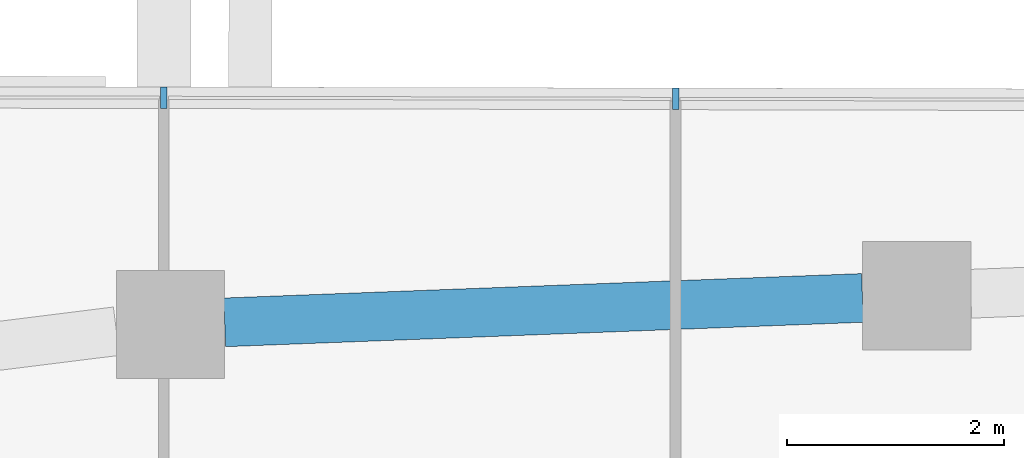
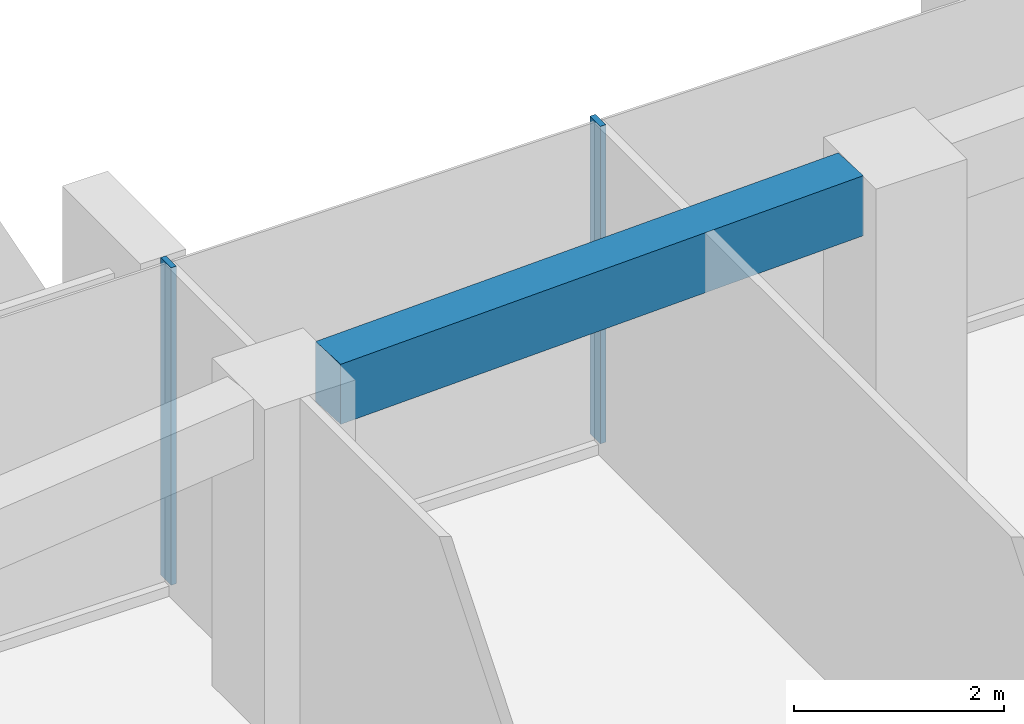
# One storey, part 7 of 24: 2 members, 1 beam, 1 element without a shape of its own.
"""IFC4 building model written with IfcOpenShell, lengths in metres."""

from ifc_helpers import new_model, si_unit, direction, frame, origin, origin_2d, place, context, subcontext, project, spatial, rectangle, extrude, material, layer, layer_set, material_profile, profile_set, type_object, element, aggregate, save


model = new_model("IFC4")

# Units and contexts
model_context = context("Model", 3, precision=1e-05, world=origin(), true_north=direction((0.0, 1.0)))
body_context = subcontext(model_context, "Body", "Model", "MODEL_VIEW")
ifc_project = project(units=[si_unit("LENGTHUNIT", "METRE"), si_unit("AREAUNIT", "SQUARE_METRE"), si_unit("VOLUMEUNIT", "CUBIC_METRE"), si_unit("PLANEANGLEUNIT", "RADIAN"), si_unit("MASSUNIT", "GRAM", prefix="KILO")], contexts=[model_context])

# Site, building, storey
site_placement = place(None, origin())
site = spatial("IfcSite", under=ifc_project, at=site_placement, CompositionType="ELEMENT")
building_placement = place(site_placement, origin())
building = spatial("IfcBuilding", under=site, at=building_placement, Name="Dongbaek Canopy Tower", CompositionType="ELEMENT")
storey_placement = place(building_placement, frame((0.0, 0.0, 311.0)))
storey = spatial("IfcBuildingStorey", under=building, at=storey_placement, Name="L66", CompositionType="ELEMENT", Elevation=311.0)

# Curtain wall, members
ifc_material_1 = material(Name="Aluminium 6063-T6 pale anodised", Category="aluminium")
ifc_layer = layer(ifc_material_1, 0.199951171875)
ifc_layer_set = layer_set([ifc_layer], Name="CW-1 unitised tower curtain wall")
curtain_wall_type = type_object("IfcCurtainWallType", Name="CW-1 unitised tower curtain wall", PredefinedType="NOTDEFINED", material=ifc_layer_set)
curtain_wall_placement = place(storey_placement, origin())
curtain_wall = element("IfcCurtainWall", 1, at=curtain_wall_placement, inside=storey, type_object=curtain_wall_type, Name="CW-1 curtain wall F1.1", PredefinedType="NOTDEFINED")
ifc_material_2 = material(Name="Aluminium 6063-T6 pale anodised", Category="aluminium")
ifc_material_profile_1 = material_profile(ifc_material_2, rectangle(XDim=0.199951171875, YDim=0.06005859375, at=origin_2d()), Name="CW-1 mullion 60 x 200")
ifc_profile_set_1 = profile_set([ifc_material_profile_1], Name="Aluminium 6063-T6 pale anodised")
member_type = type_object("IfcMemberType", Name="CW-1 mullion 60 x 200", PredefinedType="MULLION", material=ifc_profile_set_1)
member_1_placement = place(storey_placement, frame((-3.64453125, 29.24755859375, 0.1201171875), z_axis=(0.0, 0.0, 1.0), x_axis=(0.002180161438, 0.999997623445, 0.0)))
member_1 = element("IfcMember", 2, at=member_1_placement, type_object=member_type, Name="CW-1 mullion F1.1.4", PredefinedType="MULLION", context=body_context, shape_type="SweptSolid", body=[
    extrude(rectangle(XDim=0.199951171875, YDim=0.06005859375, at=origin_2d()), origin(), (0.0, 0.0, 1.0), 3.699951171875),
])
member_2_placement = place(storey_placement, frame((-8.370849609375, 29.2578125, 0.1201171875), z_axis=(0.0, 0.0, 1.0), x_axis=(0.002180161438, 0.999997623445, 0.0)))
member_2 = element("IfcMember", 3, at=member_2_placement, type_object=member_type, Name="CW-1 mullion F1.1.5", PredefinedType="MULLION", context=body_context, shape_type="SweptSolid", body=[
    extrude(rectangle(XDim=0.199951171875, YDim=0.06005859375, at=origin_2d()), origin(), (0.0, 0.0, 1.0), 3.699951171875),
])
aggregate(curtain_wall, [member_1, member_2])

# Beam
ifc_material_3 = material(Name="Concrete C60", Category="concrete")
ifc_material_profile_2 = material_profile(ifc_material_3, rectangle(XDim=0.449951171875, YDim=0.699951171875, at=origin_2d()), Name="RC EDGE BEAM 450x700 C60")
ifc_profile_set_2 = profile_set([ifc_material_profile_2], Name="Concrete C60")
beam_type = type_object("IfcBeamType", Name="RC EDGE BEAM 450x700 C60", PredefinedType="BEAM", material=ifc_profile_set_2)
beam_placement = place(storey_placement, frame((-7.80908203125, 27.18310546875, 3.469970703125), z_axis=(0.999267644391, 0.038264538061, 0.0), x_axis=(-0.038264538061, 0.999267644391, 0.0)))
element("IfcBeam", 4, at=beam_placement, inside=storey, type_object=beam_type, Name="EDGEBEAM:L66:14", PredefinedType="BEAM", context=body_context, shape_type="SweptSolid", body=[
    extrude(rectangle(XDim=0.449951171875, YDim=0.699951171875, at=origin_2d()), origin(), (0.0, 0.0, 1.0), 5.8955078125),
])

save(model, "model.ifc")
